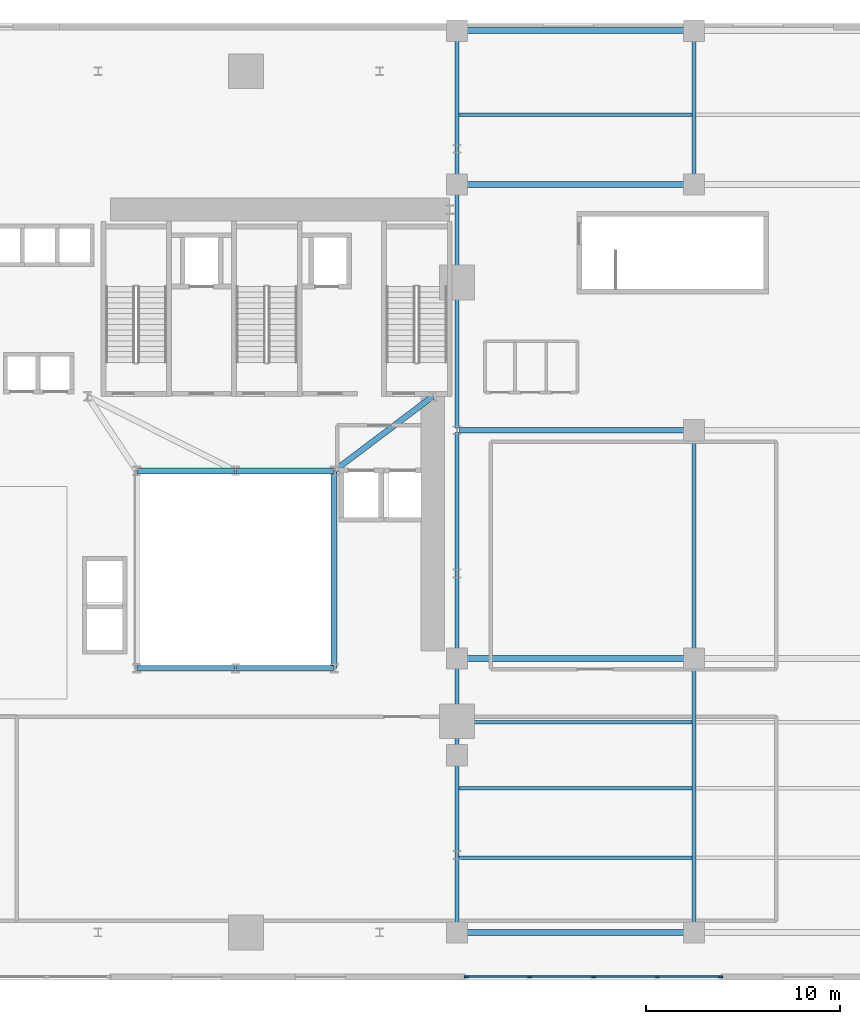
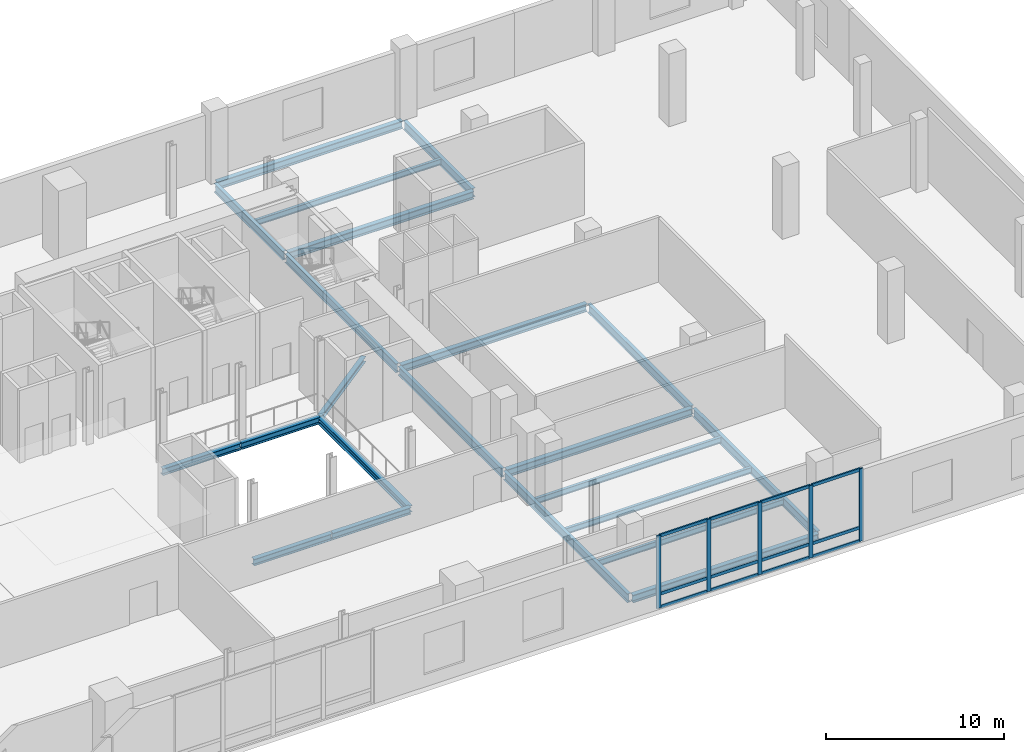
# One storey, part 4 of 13: 22 beams, 17 members, 1 element without a shape of its own.
"""IFC4 building model written with IfcOpenShell, lengths in metres."""

from ifc_helpers import new_model, si_unit, direction, frame, origin, origin_2d, place, context, subcontext, project, spatial, rectangle, i_section, extrude, source, transform, mapped, material, material_profile, profile_set, type_object, element, aggregate, save


model = new_model("IFC4")

# Units and contexts
model_context = context("Model", 3, precision=1e-05, world=origin(), true_north=direction((0.0, 1.0)))
body_context = subcontext(model_context, "Body", "Model", "MODEL_VIEW")
ifc_project = project(units=[si_unit("LENGTHUNIT", "METRE"), si_unit("AREAUNIT", "SQUARE_METRE"), si_unit("VOLUMEUNIT", "CUBIC_METRE"), si_unit("PLANEANGLEUNIT", "RADIAN"), si_unit("MASSUNIT", "GRAM", prefix="KILO")], contexts=[model_context])

# Site, building, storey
site_placement = place(None, origin())
site = spatial("IfcSite", under=ifc_project, at=site_placement, CompositionType="ELEMENT")
building_placement = place(site_placement, origin())
building = spatial("IfcBuilding", under=site, at=building_placement, Name="Vardaveli Station Tower", CompositionType="ELEMENT")
storey_placement = place(building_placement, frame((0.0, 0.0, 22.39990234375)))
storey = spatial("IfcBuildingStorey", under=building, at=storey_placement, Name="L05", CompositionType="ELEMENT", Elevation=22.39990234375)

# Beams
ifc_material_1 = material(Name="Structural steel S355J2", Category="steel")
ifc_material_profile_1 = material_profile(ifc_material_1, i_section(OverallWidth=0.305908203125, OverallDepth=0.52392578125, WebThickness=0.02099609375, FlangeThickness=0.0400390625, FilletRadius=0.027099609375, at=origin_2d()), Name="HEM 500")
ifc_profile_set_1 = profile_set([ifc_material_profile_1], Name="Structural steel S355J2")
beam_type_1 = type_object("IfcBeamType", Name="BM-HEM500", PredefinedType="BEAM", material=ifc_profile_set_1)
shared_shape_1 = source(origin(), body_context, "Body", "SweptSolid", [
    extrude(i_section(OverallWidth=0.305908203125, OverallDepth=0.52392578125, WebThickness=0.02099609375, FlangeThickness=0.0400390625, FilletRadius=0.027099609375, at=origin_2d()), origin(), (0.0, 0.0, 1.0), 12.009765625),
])
for number, where, z_axis, x_axis, name in (
    (1, (47.8701171875, 2.949951171875, -0.581787109375), (1.0, 0.0, 0.0), (0.0, 1.0, 0.0), "PBM-L05-EW0-0"),
    (2, (47.8701171875, 17.10009765625, -0.581787109375), (1.0, 0.0, 0.0), (0.0, 1.0, 0.0), "PBM-L05-EW1-0"),
    (3, (47.8701171875, 28.89990234375, -0.581787109375), (1.0, 0.0, 0.0), (0.0, 1.0, 0.0), "PBM-L05-EW2-0"),
    (4, (47.8701171875, 41.60009765625, -0.581787109375), (1.0, 0.0, 0.0), (0.0, 1.0, 0.0), "PBM-L05-EW3-0"),
    (5, (47.8701171875, 49.550048828125, -0.581787109375), (1.0, 0.0, 0.0), (0.0, 1.0, 0.0), "PBM-L05-EW4-0"),
):
    element("IfcBeam", number, at=place(storey_placement, frame(where, z_axis=z_axis, x_axis=x_axis)), inside=storey, type_object=beam_type_1, Name=name, PredefinedType="BEAM", context=body_context, shape_type="MappedRepresentation", body=[
        mapped(shared_shape_1, transform((0.0, 0.0, 0.0), scale=1.0)),
    ])
ifc_material_profile_2 = material_profile(ifc_material_1, i_section(OverallWidth=0.219970703125, OverallDepth=0.60009765625, WebThickness=0.011962890625, FlangeThickness=0.01904296875, FilletRadius=0.02392578125, at=origin_2d()), Name="IPE 600")
ifc_profile_set_2 = profile_set([ifc_material_profile_2], Name="Structural steel S355J2")
beam_type_2 = type_object("IfcBeamType", Name="BM-IPE600", PredefinedType="BEAM", material=ifc_profile_set_2)
shared_shape_2 = source(origin(), body_context, "Body", "SweptSolid", [
    extrude(i_section(OverallWidth=0.219970703125, OverallDepth=0.60009765625, WebThickness=0.011962890625, FlangeThickness=0.01904296875, FilletRadius=0.02392578125, at=origin_2d()), origin(), (0.0, 0.0, 1.0), 13.909912109375),
])
for number, where, z_axis, x_axis, name in (
    (6, (47.75, 3.070068359375, -0.619873046875), (0.0, 1.0, 0.0), (-1.0, 0.0, 0.0), "PBM-L05-NS0-0"),
    (7, (60.0, 3.070068359375, -0.619873046875), (0.0, 1.0, 0.0), (-1.0, 0.0, 0.0), "PBM-L05-NS1-0"),
):
    element("IfcBeam", number, at=place(storey_placement, frame(where, z_axis=z_axis, x_axis=x_axis)), inside=storey, type_object=beam_type_2, Name=name, PredefinedType="BEAM", context=body_context, shape_type="MappedRepresentation", body=[
        mapped(shared_shape_2, transform((0.0, 0.0, 0.0), scale=1.0)),
    ])
shared_shape_3 = source(origin(), body_context, "Body", "SweptSolid", [
    extrude(i_section(OverallWidth=0.219970703125, OverallDepth=0.60009765625, WebThickness=0.011962890625, FlangeThickness=0.01904296875, FilletRadius=0.02392578125, at=origin_2d()), origin(), (0.0, 0.0, 1.0), 11.56005859375),
])
for number, where, z_axis, x_axis, name in (
    (8, (47.75, 17.219970703125, -0.619873046875), (0.0, 1.0, 0.0), (-1.0, 0.0, 0.0), "PBM-L05-NS0-1"),
    (9, (60.0, 17.219970703125, -0.619873046875), (0.0, 1.0, 0.0), (-1.0, 0.0, 0.0), "PBM-L05-NS1-1"),
):
    element("IfcBeam", number, at=place(storey_placement, frame(where, z_axis=z_axis, x_axis=x_axis)), inside=storey, type_object=beam_type_2, Name=name, PredefinedType="BEAM", context=body_context, shape_type="MappedRepresentation", body=[
        mapped(shared_shape_3, transform((0.0, 0.0, 0.0), scale=1.0)),
    ])
shared_shape_4 = source(origin(), body_context, "Body", "SweptSolid", [
    extrude(i_section(OverallWidth=0.219970703125, OverallDepth=0.60009765625, WebThickness=0.011962890625, FlangeThickness=0.01904296875, FilletRadius=0.02392578125, at=origin_2d()), origin(), (0.0, 0.0, 1.0), 12.4599609375),
])
beam_1_placement = place(storey_placement, frame((47.75, 29.02001953125, -0.619873046875), z_axis=(0.0, 1.0, 0.0), x_axis=(-1.0, 0.0, 0.0)))
element("IfcBeam", 10, at=beam_1_placement, inside=storey, type_object=beam_type_2, Name="PBM-L05-NS0-2", PredefinedType="BEAM", context=body_context, shape_type="MappedRepresentation", body=[
    mapped(shared_shape_4, transform((0.0, 0.0, 0.0), scale=1.0)),
])
shared_shape_5 = source(origin(), body_context, "Body", "SweptSolid", [
    extrude(i_section(OverallWidth=0.219970703125, OverallDepth=0.60009765625, WebThickness=0.011962890625, FlangeThickness=0.01904296875, FilletRadius=0.02392578125, at=origin_2d()), origin(), (0.0, 0.0, 1.0), 7.7099609375),
])
for number, where, z_axis, x_axis, name in (
    (11, (47.75, 41.719970703125, -0.619873046875), (0.0, 1.0, 0.0), (-1.0, 0.0, 0.0), "PBM-L05-NS0-3"),
    (12, (60.0, 41.719970703125, -0.619873046875), (0.0, 1.0, 0.0), (-1.0, 0.0, 0.0), "PBM-L05-NS1-3"),
):
    element("IfcBeam", number, at=place(storey_placement, frame(where, z_axis=z_axis, x_axis=x_axis)), inside=storey, type_object=beam_type_2, Name=name, PredefinedType="BEAM", context=body_context, shape_type="MappedRepresentation", body=[
        mapped(shared_shape_5, transform((0.0, 0.0, 0.0), scale=1.0)),
    ])
ifc_material_profile_3 = material_profile(ifc_material_1, i_section(OverallWidth=0.179931640625, OverallDepth=0.39990234375, WebThickness=0.008544921875, FlangeThickness=0.013427734375, FilletRadius=0.02099609375, at=origin_2d()), Name="IPE 400")
ifc_profile_set_3 = profile_set([ifc_material_profile_3], Name="Structural steel S355J2")
beam_type_3 = type_object("IfcBeamType", Name="BM-IPE400", PredefinedType="JOIST", material=ifc_profile_set_3)
shared_shape_6 = source(origin(), body_context, "Body", "SweptSolid", [
    extrude(i_section(OverallWidth=0.179931640625, OverallDepth=0.39990234375, WebThickness=0.008544921875, FlangeThickness=0.013427734375, FilletRadius=0.02099609375, at=origin_2d()), origin(), (0.0, 0.0, 1.0), 12.02587890625),
])
for number, where, z_axis, x_axis, name in (
    (13, (47.862060546875, 6.800048828125, -0.52001953125), (1.0, 0.0, 0.0), (0.0, 1.0, 0.0), "PJ-L05-1-0"),
    (14, (47.862060546875, 10.39990234375, -0.52001953125), (1.0, 0.0, 0.0), (0.0, 1.0, 0.0), "PJ-L05-2-0"),
    (15, (47.862060546875, 13.800048828125, -0.52001953125), (1.0, 0.0, 0.0), (0.0, 1.0, 0.0), "PJ-L05-3-0"),
    (16, (47.862060546875, 45.199951171875, -0.52001953125), (1.0, 0.0, 0.0), (0.0, 1.0, 0.0), "PJ-L05-4-0"),
):
    element("IfcBeam", number, at=place(storey_placement, frame(where, z_axis=z_axis, x_axis=x_axis)), inside=storey, type_object=beam_type_3, Name=name, PredefinedType="JOIST", context=body_context, shape_type="MappedRepresentation", body=[
        mapped(shared_shape_6, transform((0.0, 0.0, 0.0), scale=1.0)),
    ])
ifc_material_profile_4 = material_profile(ifc_material_1, i_section(OverallWidth=0.300048828125, OverallDepth=0.449951171875, WebThickness=0.013916015625, FlangeThickness=0.02587890625, FilletRadius=0.027099609375, at=origin_2d()), Name="HEB 450")
ifc_profile_set_4 = profile_set([ifc_material_profile_4], Name="Structural steel S355J2")
beam_type_4 = type_object("IfcBeamType", Name="BM-HEB450", PredefinedType="BEAM", material=ifc_profile_set_4)
shared_shape_7 = source(origin(), body_context, "Body", "SweptSolid", [
    extrude(i_section(OverallWidth=0.300048828125, OverallDepth=0.449951171875, WebThickness=0.013916015625, FlangeThickness=0.02587890625, FilletRadius=0.027099609375, at=origin_2d()), origin(), (0.0, 0.0, 1.0), 5.06005859375),
])
for number, where, z_axis, x_axis, name in (
    (17, (31.219970703125, 16.60009765625, -0.544921875), (1.0, 0.0, 0.0), (0.0, 1.0, 0.0), "ABM-L05-01"),
    (18, (36.280029296875, 26.800048828125, -0.544921875), (-1.0, 0.0, 0.0), (0.0, -1.0, 0.0), "ABM-L05-05"),
):
    element("IfcBeam", number, at=place(storey_placement, frame(where, z_axis=z_axis, x_axis=x_axis)), inside=storey, type_object=beam_type_4, Name=name, PredefinedType="BEAM", context=body_context, shape_type="MappedRepresentation", body=[
        mapped(shared_shape_7, transform((0.0, 0.0, 0.0), scale=1.0)),
    ])
shared_shape_8 = source(origin(), body_context, "Body", "SweptSolid", [
    extrude(i_section(OverallWidth=0.300048828125, OverallDepth=0.449951171875, WebThickness=0.013916015625, FlangeThickness=0.02587890625, FilletRadius=0.027099609375, at=origin_2d()), origin(), (0.0, 0.0, 1.0), 5.059814453125),
])
for number, where, z_axis, x_axis, name in (
    (19, (36.320068359375, 16.60009765625, -0.544921875), (1.0, 0.0, 0.0), (0.0, 1.0, 0.0), "ABM-L05-02"),
    (20, (41.3798828125, 26.800048828125, -0.544921875), (-1.0, 0.0, 0.0), (0.0, -1.0, 0.0), "ABM-L05-04"),
):
    element("IfcBeam", number, at=place(storey_placement, frame(where, z_axis=z_axis, x_axis=x_axis)), inside=storey, type_object=beam_type_4, Name=name, PredefinedType="BEAM", context=body_context, shape_type="MappedRepresentation", body=[
        mapped(shared_shape_8, transform((0.0, 0.0, 0.0), scale=1.0)),
    ])
shared_shape_9 = source(origin(), body_context, "Body", "SweptSolid", [
    extrude(i_section(OverallWidth=0.300048828125, OverallDepth=0.449951171875, WebThickness=0.013916015625, FlangeThickness=0.02587890625, FilletRadius=0.027099609375, at=origin_2d()), origin(), (0.0, 0.0, 1.0), 10.159912109375),
])
beam_2_placement = place(storey_placement, frame((41.39990234375, 16.6201171875, -0.544921875), z_axis=(0.0, 1.0, 0.0), x_axis=(-1.0, 0.0, 0.0)))
element("IfcBeam", 21, at=beam_2_placement, inside=storey, type_object=beam_type_4, Name="ABM-L05-03", PredefinedType="BEAM", context=body_context, shape_type="MappedRepresentation", body=[
    mapped(shared_shape_9, transform((0.0, 0.0, 0.0), scale=1.0)),
])
ifc_material_profile_5 = material_profile(ifc_material_1, i_section(OverallWidth=0.300048828125, OverallDepth=0.360107421875, WebThickness=0.012451171875, FlangeThickness=0.0224609375, FilletRadius=0.027099609375, at=origin_2d()), Name="HEB 360")
ifc_profile_set_5 = profile_set([ifc_material_profile_5], Name="Structural steel S355J2")
beam_type_5 = type_object("IfcBeamType", Name="BM-HEB360", PredefinedType="BEAM", material=ifc_profile_set_5)
shared_shape_10 = source(origin(), body_context, "Body", "SweptSolid", [
    extrude(i_section(OverallWidth=0.300048828125, OverallDepth=0.360107421875, WebThickness=0.012451171875, FlangeThickness=0.0224609375, FilletRadius=0.027099609375, at=origin_2d()), origin(), (0.0, 0.0, 1.0), 6.35009765625),
])
beam_3_placement = place(storey_placement, frame((41.416015625, 26.81201171875, -0.5), z_axis=(0.798118337722, 0.602500721154, 0.0), x_axis=(-0.602500721154, 0.798118337722, 0.0)))
element("IfcBeam", 22, at=beam_3_placement, inside=storey, type_object=beam_type_5, Name="CBM-L05-02", PredefinedType="BEAM", context=body_context, shape_type="MappedRepresentation", body=[
    mapped(shared_shape_10, transform((0.0, 0.0, 0.0), scale=1.0)),
])

# Curtain wall, members
ifc_material_2 = material(Name="Travertine stone and solar-control glass", Category="masonry")
curtain_wall_type = type_object("IfcCurtainWallType", Name="CW-SYS-1", PredefinedType="NOTDEFINED", material=ifc_material_2)
curtain_wall_placement = place(storey_placement, origin())
curtain_wall = element("IfcCurtainWall", 23, at=curtain_wall_placement, inside=storey, type_object=curtain_wall_type, Name="CW-L05-S4", PredefinedType="NOTDEFINED")
ifc_material_3 = material(Name="Anodised aluminium alloy 6063-T6", Category="aluminium")
ifc_material_profile_6 = material_profile(ifc_material_3, rectangle(XDim=0.094970703125, YDim=0.2099609375, at=origin_2d()), Name="CWT 95x210")
ifc_profile_set_6 = profile_set([ifc_material_profile_6], Name="Anodised aluminium alloy 6063-T6")
member_type_1 = type_object("IfcMemberType", Name="CW-SYS-1-TRAN", PredefinedType="NOTDEFINED", material=ifc_profile_set_6)
shared_shape_11 = source(origin(), body_context, "Body", "SweptSolid", [
    extrude(rectangle(XDim=0.094970703125, YDim=0.2099609375, at=origin_2d()), origin(), (0.0, 0.0, 1.0), 3.157470703125),
])
member_1_placement = place(storey_placement, frame((48.294921875, 0.64990234375, 0.047607421875), z_axis=(1.0, 0.0, 0.0), x_axis=(0.0, 1.0, 0.0)))
member_1 = element("IfcMember", 24, at=member_1_placement, type_object=member_type_1, Name="CW-1 transom 1.1", ObjectType="TRANSOM", PredefinedType="USERDEFINED", context=body_context, shape_type="MappedRepresentation", body=[
    mapped(shared_shape_11, transform((0.0, 0.0, 0.0), scale=1.0)),
])
member_2_placement = place(storey_placement, frame((48.294921875, 0.64990234375, 0.9501953125), z_axis=(1.0, 0.0, 0.0), x_axis=(0.0, 1.0, 0.0)))
member_2 = element("IfcMember", 25, at=member_2_placement, type_object=member_type_1, Name="CW-1 transom 1.2", ObjectType="TRANSOM", PredefinedType="USERDEFINED", context=body_context, shape_type="MappedRepresentation", body=[
    mapped(shared_shape_11, transform((0.0, 0.0, 0.0), scale=1.0)),
])
member_3_placement = place(storey_placement, frame((48.294921875, 0.64990234375, 4.91259765625), z_axis=(1.0, 0.0, 0.0), x_axis=(0.0, 1.0, 0.0)))
member_3 = element("IfcMember", 26, at=member_3_placement, type_object=member_type_1, Name="CW-1 transom 1.3", ObjectType="TRANSOM", PredefinedType="USERDEFINED", context=body_context, shape_type="MappedRepresentation", body=[
    mapped(shared_shape_11, transform((0.0, 0.0, 0.0), scale=1.0)),
])
member_4_placement = place(storey_placement, frame((58.1474609375, 0.64990234375, 0.047607421875), z_axis=(1.0, 0.0, 0.0), x_axis=(0.0, 1.0, 0.0)))
member_4 = element("IfcMember", 27, at=member_4_placement, type_object=member_type_1, Name="CW-1 transom 4.1", ObjectType="TRANSOM", PredefinedType="USERDEFINED", context=body_context, shape_type="MappedRepresentation", body=[
    mapped(shared_shape_11, transform((0.0, 0.0, 0.0), scale=1.0)),
])
member_5_placement = place(storey_placement, frame((58.1474609375, 0.64990234375, 0.9501953125), z_axis=(1.0, 0.0, 0.0), x_axis=(0.0, 1.0, 0.0)))
member_5 = element("IfcMember", 28, at=member_5_placement, type_object=member_type_1, Name="CW-1 transom 4.2", ObjectType="TRANSOM", PredefinedType="USERDEFINED", context=body_context, shape_type="MappedRepresentation", body=[
    mapped(shared_shape_11, transform((0.0, 0.0, 0.0), scale=1.0)),
])
member_6_placement = place(storey_placement, frame((58.1474609375, 0.64990234375, 4.91259765625), z_axis=(1.0, 0.0, 0.0), x_axis=(0.0, 1.0, 0.0)))
member_6 = element("IfcMember", 29, at=member_6_placement, type_object=member_type_1, Name="CW-1 transom 4.3", ObjectType="TRANSOM", PredefinedType="USERDEFINED", context=body_context, shape_type="MappedRepresentation", body=[
    mapped(shared_shape_11, transform((0.0, 0.0, 0.0), scale=1.0)),
])
shared_shape_12 = source(origin(), body_context, "Body", "SweptSolid", [
    extrude(rectangle(XDim=0.094970703125, YDim=0.2099609375, at=origin_2d()), origin(), (0.0, 0.0, 1.0), 3.204833984375),
])
member_7_placement = place(storey_placement, frame((51.547607421875, 0.64990234375, 0.047607421875), z_axis=(1.0, 0.0, 0.0), x_axis=(0.0, 1.0, 0.0)))
member_7 = element("IfcMember", 30, at=member_7_placement, type_object=member_type_1, Name="CW-1 transom 2.1", ObjectType="TRANSOM", PredefinedType="USERDEFINED", context=body_context, shape_type="MappedRepresentation", body=[
    mapped(shared_shape_12, transform((0.0, 0.0, 0.0), scale=1.0)),
])
member_8_placement = place(storey_placement, frame((51.547607421875, 0.64990234375, 0.9501953125), z_axis=(1.0, 0.0, 0.0), x_axis=(0.0, 1.0, 0.0)))
member_8 = element("IfcMember", 31, at=member_8_placement, type_object=member_type_1, Name="CW-1 transom 2.2", ObjectType="TRANSOM", PredefinedType="USERDEFINED", context=body_context, shape_type="MappedRepresentation", body=[
    mapped(shared_shape_12, transform((0.0, 0.0, 0.0), scale=1.0)),
])
member_9_placement = place(storey_placement, frame((51.547607421875, 0.64990234375, 4.91259765625), z_axis=(1.0, 0.0, 0.0), x_axis=(0.0, 1.0, 0.0)))
member_9 = element("IfcMember", 32, at=member_9_placement, type_object=member_type_1, Name="CW-1 transom 2.3", ObjectType="TRANSOM", PredefinedType="USERDEFINED", context=body_context, shape_type="MappedRepresentation", body=[
    mapped(shared_shape_12, transform((0.0, 0.0, 0.0), scale=1.0)),
])
shared_shape_13 = source(origin(), body_context, "Body", "SweptSolid", [
    extrude(rectangle(XDim=0.094970703125, YDim=0.2099609375, at=origin_2d()), origin(), (0.0, 0.0, 1.0), 3.205078125),
])
member_10_placement = place(storey_placement, frame((54.847412109375, 0.64990234375, 0.047607421875), z_axis=(1.0, 0.0, 0.0), x_axis=(0.0, 1.0, 0.0)))
member_10 = element("IfcMember", 33, at=member_10_placement, type_object=member_type_1, Name="CW-1 transom 3.1", ObjectType="TRANSOM", PredefinedType="USERDEFINED", context=body_context, shape_type="MappedRepresentation", body=[
    mapped(shared_shape_13, transform((0.0, 0.0, 0.0), scale=1.0)),
])
member_11_placement = place(storey_placement, frame((54.847412109375, 0.64990234375, 0.9501953125), z_axis=(1.0, 0.0, 0.0), x_axis=(0.0, 1.0, 0.0)))
member_11 = element("IfcMember", 34, at=member_11_placement, type_object=member_type_1, Name="CW-1 transom 3.2", ObjectType="TRANSOM", PredefinedType="USERDEFINED", context=body_context, shape_type="MappedRepresentation", body=[
    mapped(shared_shape_13, transform((0.0, 0.0, 0.0), scale=1.0)),
])
member_12_placement = place(storey_placement, frame((54.847412109375, 0.64990234375, 4.91259765625), z_axis=(1.0, 0.0, 0.0), x_axis=(0.0, 1.0, 0.0)))
member_12 = element("IfcMember", 35, at=member_12_placement, type_object=member_type_1, Name="CW-1 transom 3.3", ObjectType="TRANSOM", PredefinedType="USERDEFINED", context=body_context, shape_type="MappedRepresentation", body=[
    mapped(shared_shape_13, transform((0.0, 0.0, 0.0), scale=1.0)),
])
ifc_material_profile_7 = material_profile(ifc_material_3, rectangle(XDim=0.094970703125, YDim=0.27001953125, at=origin_2d()), Name="CWM 95x270")
ifc_profile_set_7 = profile_set([ifc_material_profile_7], Name="Anodised aluminium alloy 6063-T6")
member_type_2 = type_object("IfcMemberType", Name="CW-SYS-1-MULL", PredefinedType="MULLION", material=ifc_profile_set_7)
shared_shape_14 = source(origin(), body_context, "Body", "SweptSolid", [
    extrude(rectangle(XDim=0.094970703125, YDim=0.27001953125, at=origin_2d()), origin(), (0.0, 0.0, 1.0), 4.960205078125),
])
member_13_placement = place(storey_placement, frame((48.24755859375, 0.64990234375, 0.0), z_axis=(0.0, 0.0, 1.0), x_axis=(0.0, 1.0, 0.0)))
member_13 = element("IfcMember", 36, at=member_13_placement, type_object=member_type_2, Name="CW-1 mullion 1", PredefinedType="MULLION", context=body_context, shape_type="MappedRepresentation", body=[
    mapped(shared_shape_14, transform((0.0, 0.0, 0.0), scale=1.0)),
])
member_14_placement = place(storey_placement, frame((51.5, 0.64990234375, 0.0), z_axis=(0.0, 0.0, 1.0), x_axis=(0.0, 1.0, 0.0)))
member_14 = element("IfcMember", 37, at=member_14_placement, type_object=member_type_2, Name="CW-1 mullion 2", PredefinedType="MULLION", context=body_context, shape_type="MappedRepresentation", body=[
    mapped(shared_shape_14, transform((0.0, 0.0, 0.0), scale=1.0)),
])
member_15_placement = place(storey_placement, frame((54.800048828125, 0.64990234375, 0.0), z_axis=(0.0, 0.0, 1.0), x_axis=(0.0, 1.0, 0.0)))
member_15 = element("IfcMember", 38, at=member_15_placement, type_object=member_type_2, Name="CW-1 mullion 3", PredefinedType="MULLION", context=body_context, shape_type="MappedRepresentation", body=[
    mapped(shared_shape_14, transform((0.0, 0.0, 0.0), scale=1.0)),
])
member_16_placement = place(storey_placement, frame((58.10009765625, 0.64990234375, 0.0), z_axis=(0.0, 0.0, 1.0), x_axis=(0.0, 1.0, 0.0)))
member_16 = element("IfcMember", 39, at=member_16_placement, type_object=member_type_2, Name="CW-1 mullion 4", PredefinedType="MULLION", context=body_context, shape_type="MappedRepresentation", body=[
    mapped(shared_shape_14, transform((0.0, 0.0, 0.0), scale=1.0)),
])
member_17_placement = place(storey_placement, frame((61.3525390625, 0.64990234375, 0.0), z_axis=(0.0, 0.0, 1.0), x_axis=(0.0, 1.0, 0.0)))
member_17 = element("IfcMember", 40, at=member_17_placement, type_object=member_type_2, Name="CW-1 mullion 5", PredefinedType="MULLION", context=body_context, shape_type="MappedRepresentation", body=[
    mapped(shared_shape_14, transform((0.0, 0.0, 0.0), scale=1.0)),
])
aggregate(curtain_wall, [member_13, member_14, member_15, member_16, member_17, member_1, member_2, member_3, member_7, member_8, member_9, member_10, member_11, member_12, member_4, member_5, member_6])

save(model, "model.ifc")
